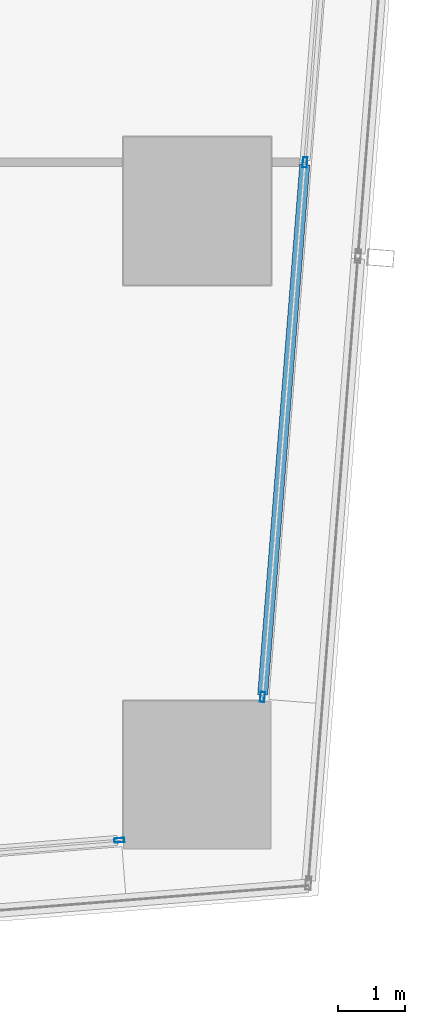
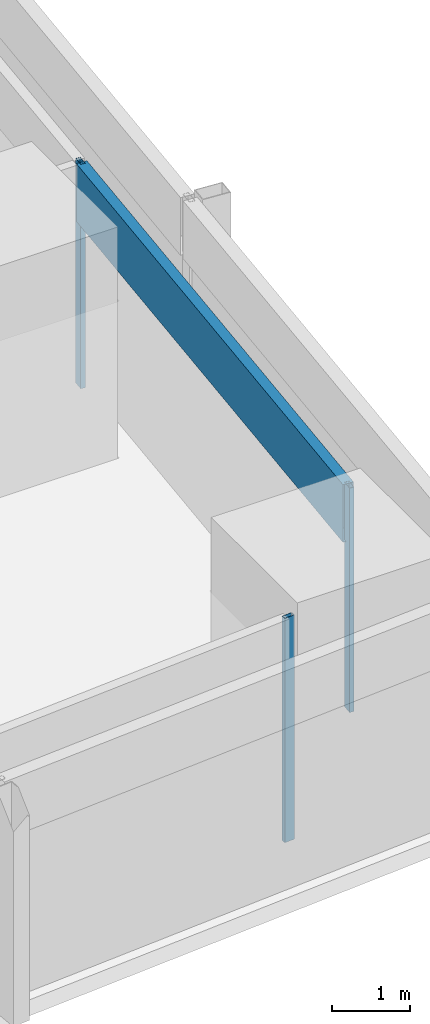
# One storey, part 12 of 44: 4 members, 2 elements without a shape of their own.
"""IFC4 building model written with IfcOpenShell, lengths in metres."""

from ifc_helpers import new_model, si_unit, direction, frame, origin, origin_2d, place, context, subcontext, project, spatial, hollow_rectangle, extrude, material, material_profile, profile_set, type_object, element, aggregate, save


model = new_model("IFC4")

# Units and contexts
model_context = context("Model", 3, precision=1e-05, world=origin(), true_north=direction((0.0, 1.0)))
body_context = subcontext(model_context, "Body", "Model", "MODEL_VIEW")
ifc_project = project(units=[si_unit("LENGTHUNIT", "METRE"), si_unit("AREAUNIT", "SQUARE_METRE"), si_unit("VOLUMEUNIT", "CUBIC_METRE"), si_unit("PLANEANGLEUNIT", "RADIAN"), si_unit("MASSUNIT", "GRAM", prefix="KILO")], contexts=[model_context])

# Site, building, storey
site_placement = place(None, origin())
site = spatial("IfcSite", under=ifc_project, at=site_placement, CompositionType="ELEMENT")
building_placement = place(site_placement, origin())
building = spatial("IfcBuilding", under=site, at=building_placement, Name="Rekha Terrace Tower", CompositionType="ELEMENT")
storey_placement = place(building_placement, frame((0.0, 0.0, 74.14990234375)))
storey = spatial("IfcBuildingStorey", under=building, at=storey_placement, Name="L18", CompositionType="ELEMENT", Elevation=74.14990234375)

# Curtain wall, member
ifc_material_1 = material(Name="Aluminium framing", Category="aluminium")
curtain_wall_type = type_object("IfcCurtainWallType", Name="CW1 double skin inner glazing", PredefinedType="USERDEFINED", material=ifc_material_1)
curtain_wall_1_placement = place(storey_placement, origin())
curtain_wall_1 = element("IfcCurtainWall", 1, at=curtain_wall_1_placement, inside=storey, type_object=curtain_wall_type, Name="CW1 double skin inner glazing", ObjectType="DOUBLE SKIN INNER GLAZING", PredefinedType="USERDEFINED")
ifc_material_2 = material(Name="Aluminium mullion section", Category="aluminium")
ifc_material_profile_1 = material_profile(ifc_material_2, hollow_rectangle(XDim=0.06494140625, YDim=0.14990234375, WallThickness=0.00390625, at=origin_2d()), Name="AL RHS 65x150")
ifc_profile_set_1 = profile_set([ifc_material_profile_1], Name="Aluminium mullion section")
member_type_1 = type_object("IfcMemberType", Name="CW1 mullion RHS 65 x 150", PredefinedType="MULLION", material=ifc_profile_set_1)
member_1_placement = place(storey_placement, frame((66.0400390625, 7.42626953125, 0.0), z_axis=(0.0, 0.0, 1.0), x_axis=(-0.079872204468, 0.996805111821, 0.0)))
member_1 = element("IfcMember", 2, at=member_1_placement, type_object=member_type_1, Name="CW1 mullion 3", PredefinedType="MULLION", context=body_context, shape_type="SweptSolid", body=[
    extrude(hollow_rectangle(XDim=0.06494140625, YDim=0.14990234375, WallThickness=0.00390625, at=origin_2d()), origin(), (0.0, 0.0, 1.0), 3.5),
])
aggregate(curtain_wall_1, [member_1])

# Curtain wall, members
curtain_wall_2_placement = place(storey_placement, origin())
curtain_wall_2 = element("IfcCurtainWall", 3, at=curtain_wall_2_placement, inside=storey, type_object=curtain_wall_type, Name="CW1 double skin inner glazing", ObjectType="DOUBLE SKIN INNER GLAZING", PredefinedType="USERDEFINED")
member_2_placement = place(storey_placement, frame((68.171630859375, 9.559814453125, 0.0), z_axis=(0.0, 0.0, 1.0), x_axis=(-0.996865392576, 0.079116301, 0.0)))
member_2 = element("IfcMember", 4, at=member_2_placement, type_object=member_type_1, Name="CW1 mullion 1", PredefinedType="MULLION", context=body_context, shape_type="SweptSolid", body=[
    extrude(hollow_rectangle(XDim=0.06494140625, YDim=0.14990234375, WallThickness=0.00390625, at=origin_2d()), origin(), (0.0, 0.0, 1.0), 3.5),
])
member_3_placement = place(storey_placement, frame((68.8037109375, 17.5234375, 0.0), z_axis=(0.0, 0.0, 1.0), x_axis=(-0.996865392576, 0.079116301, 0.0)))
member_3 = element("IfcMember", 5, at=member_3_placement, type_object=member_type_1, Name="CW1 mullion 2", PredefinedType="MULLION", context=body_context, shape_type="SweptSolid", body=[
    extrude(hollow_rectangle(XDim=0.06494140625, YDim=0.14990234375, WallThickness=0.00390625, at=origin_2d()), origin(), (0.0, 0.0, 1.0), 3.5),
])
ifc_material_3 = material(Name="Insulated aluminium spandrel box", Category="aluminium")
ifc_material_profile_2 = material_profile(ifc_material_3, hollow_rectangle(XDim=0.14990234375, YDim=0.89990234375, WallThickness=0.0029296875, at=origin_2d()), Name="AL SPANDREL BOX 150x900")
ifc_profile_set_2 = profile_set([ifc_material_profile_2], Name="Insulated aluminium spandrel box")
member_type_2 = type_object("IfcMemberType", Name="CW1 spandrel transom 150 x 900", PredefinedType="USERDEFINED", material=ifc_profile_set_2)
member_4_placement = place(storey_placement, frame((68.174072265625, 9.59228515625, 3.050048828125), z_axis=(0.079125535375, 0.996864659646, 0.0), x_axis=(-0.996864659646, 0.079125535375, 0.0)))
member_4 = element("IfcMember", 6, at=member_4_placement, type_object=member_type_2, Name="CW1 spandrel transom 1", ObjectType="TRANSOM", PredefinedType="USERDEFINED", context=body_context, shape_type="SweptSolid", body=[
    extrude(hollow_rectangle(XDim=0.14990234375, YDim=0.89990234375, WallThickness=0.0029296875, at=origin_2d()), origin(), (0.0, 0.0, 1.0), 7.923583984375),
])
aggregate(curtain_wall_2, [member_2, member_3, member_4])

save(model, "model.ifc")
